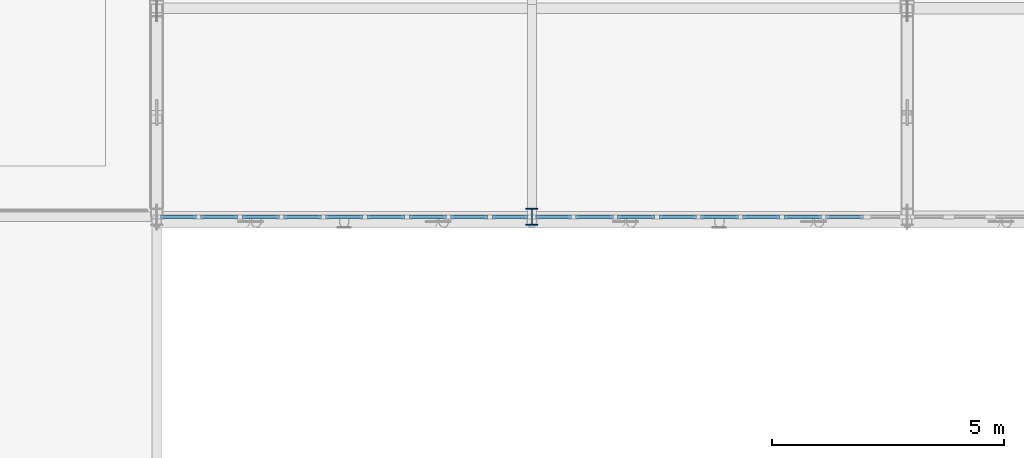
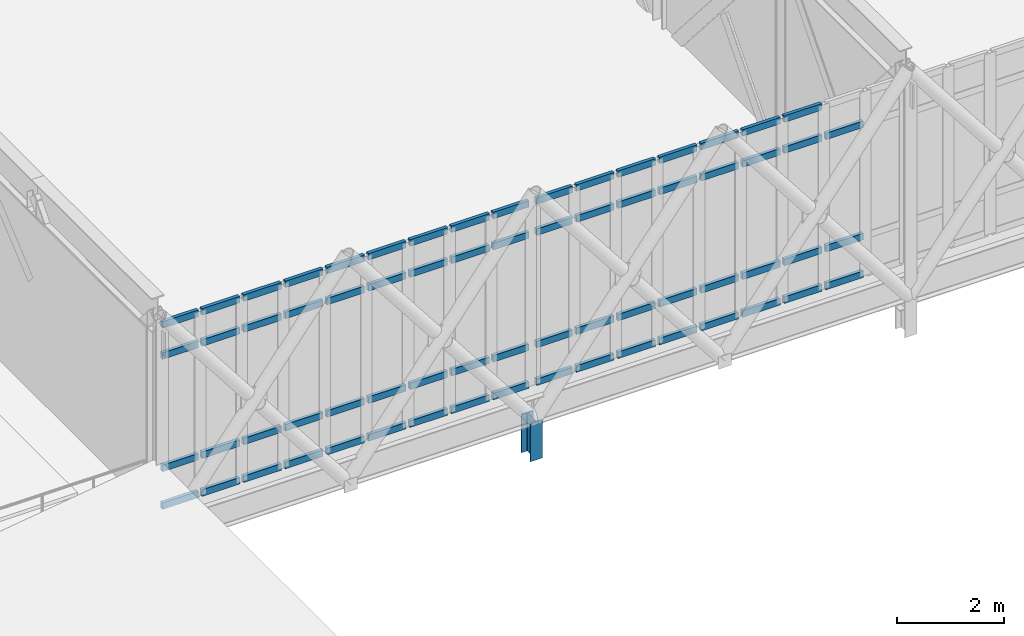
# One storey, part 43 of 107: 68 members, 2 elements without a shape of their own.
"""IFC4 building model written with IfcOpenShell, lengths in metres."""

from ifc_helpers import new_model, si_unit, direction, frame, origin, origin_2d, place, context, subcontext, project, spatial, rectangle, i_section, extrude, material, material_profile, profile_set, type_object, element, aggregate, save


model = new_model("IFC4")

# Units and contexts
model_context = context("Model", 3, precision=1e-05, world=origin(), true_north=direction((0.0, 1.0)))
body_context = subcontext(model_context, "Body", "Model", "MODEL_VIEW")
ifc_project = project(units=[si_unit("LENGTHUNIT", "METRE"), si_unit("AREAUNIT", "SQUARE_METRE"), si_unit("VOLUMEUNIT", "CUBIC_METRE"), si_unit("PLANEANGLEUNIT", "RADIAN"), si_unit("MASSUNIT", "GRAM", prefix="KILO")], contexts=[model_context])

# Site, building, storey
site_placement = place(None, origin())
site = spatial("IfcSite", under=ifc_project, at=site_placement, CompositionType="ELEMENT")
building_placement = place(site_placement, origin())
building = spatial("IfcBuilding", under=site, at=building_placement, Name="Tarnveldt Square Police Headquarters", CompositionType="ELEMENT")
storey_placement = place(building_placement, frame((0.0, 0.0, 14.699951171875)))
storey = spatial("IfcBuildingStorey", under=building, at=storey_placement, Name="L03", CompositionType="ELEMENT", Elevation=14.699951171875)

# Curtain wall, members
ifc_material_1 = material(Name="UL 752 Level III laminated ballistic vision glass", Category="glass")
curtain_wall_type = type_object("IfcCurtainWallType", Name="CW-BL-810x422", PredefinedType="USERDEFINED", material=ifc_material_1)
curtain_wall_1_placement = place(storey_placement, origin())
curtain_wall_1 = element("IfcCurtainWall", 1, at=curtain_wall_1_placement, inside=storey, type_object=curtain_wall_type, Name="L03 Curtain Wall CW-L03-023", ObjectType="BALLISTIC CURTAIN WALL", PredefinedType="USERDEFINED")
ifc_material_2 = material(Name="Thermally broken anodised aluminium 6063-T6", Category="aluminium")
ifc_material_profile_1 = material_profile(ifc_material_2, rectangle(XDim=0.074951171875, YDim=0.14990234375, at=origin_2d()), Name="CW-T75x150")
ifc_profile_set_1 = profile_set([ifc_material_profile_1], Name="Thermally broken anodised aluminium 6063-T6")
member_type_1 = type_object("IfcMemberType", Name="CWT-75x150", PredefinedType="USERDEFINED", material=ifc_profile_set_1)
member_1_placement = place(storey_placement, frame((8.18505859375, 7.0, 0.03759765625), z_axis=(1.0, 0.0, 0.0), x_axis=(0.0, 1.0, 0.0)))
member_1 = element("IfcMember", 2, at=member_1_placement, type_object=member_type_1, Name="CW-BL12 transom 1.1", ObjectType="TRANSOM", PredefinedType="USERDEFINED", context=body_context, shape_type="SweptSolid", body=[
    extrude(rectangle(XDim=0.074951171875, YDim=0.14990234375, at=origin_2d()), origin(), (0.0, 0.0, 1.0), 0.7724609375),
])
member_2_placement = place(storey_placement, frame((8.18505859375, 7.0, 0.900146484375), z_axis=(1.0, 0.0, 0.0), x_axis=(0.0, 1.0, 0.0)))
member_2 = element("IfcMember", 3, at=member_2_placement, type_object=member_type_1, Name="CW-BL12 transom 1.2", ObjectType="TRANSOM", PredefinedType="USERDEFINED", context=body_context, shape_type="SweptSolid", body=[
    extrude(rectangle(XDim=0.074951171875, YDim=0.14990234375, at=origin_2d()), origin(), (0.0, 0.0, 1.0), 0.7724609375),
])
member_3_placement = place(storey_placement, frame((8.18505859375, 7.0, 3.469970703125), z_axis=(1.0, 0.0, 0.0), x_axis=(0.0, 1.0, 0.0)))
member_3 = element("IfcMember", 4, at=member_3_placement, type_object=member_type_1, Name="CW-BL12 transom 1.3", ObjectType="TRANSOM", PredefinedType="USERDEFINED", context=body_context, shape_type="SweptSolid", body=[
    extrude(rectangle(XDim=0.074951171875, YDim=0.14990234375, at=origin_2d()), origin(), (0.0, 0.0, 1.0), 0.7724609375),
])
member_4_placement = place(storey_placement, frame((8.18505859375, 7.0, 4.1826171875), z_axis=(1.0, 0.0, 0.0), x_axis=(0.0, 1.0, 0.0)))
member_4 = element("IfcMember", 5, at=member_4_placement, type_object=member_type_1, Name="CW-BL12 transom 1.4", ObjectType="TRANSOM", PredefinedType="USERDEFINED", context=body_context, shape_type="SweptSolid", body=[
    extrude(rectangle(XDim=0.074951171875, YDim=0.14990234375, at=origin_2d()), origin(), (0.0, 0.0, 1.0), 0.7724609375),
])
member_5_placement = place(storey_placement, frame((9.04248046875, 7.0, 0.03759765625), z_axis=(1.0, 0.0, 0.0), x_axis=(0.0, 1.0, 0.0)))
member_5 = element("IfcMember", 6, at=member_5_placement, type_object=member_type_1, Name="CW-BL12 transom 2.1", ObjectType="TRANSOM", PredefinedType="USERDEFINED", context=body_context, shape_type="SweptSolid", body=[
    extrude(rectangle(XDim=0.074951171875, YDim=0.14990234375, at=origin_2d()), origin(), (0.0, 0.0, 1.0), 0.81494140625),
])
member_6_placement = place(storey_placement, frame((9.04248046875, 7.0, 0.900146484375), z_axis=(1.0, 0.0, 0.0), x_axis=(0.0, 1.0, 0.0)))
member_6 = element("IfcMember", 7, at=member_6_placement, type_object=member_type_1, Name="CW-BL12 transom 2.2", ObjectType="TRANSOM", PredefinedType="USERDEFINED", context=body_context, shape_type="SweptSolid", body=[
    extrude(rectangle(XDim=0.074951171875, YDim=0.14990234375, at=origin_2d()), origin(), (0.0, 0.0, 1.0), 0.81494140625),
])
member_7_placement = place(storey_placement, frame((9.04248046875, 7.0, 3.469970703125), z_axis=(1.0, 0.0, 0.0), x_axis=(0.0, 1.0, 0.0)))
member_7 = element("IfcMember", 8, at=member_7_placement, type_object=member_type_1, Name="CW-BL12 transom 2.3", ObjectType="TRANSOM", PredefinedType="USERDEFINED", context=body_context, shape_type="SweptSolid", body=[
    extrude(rectangle(XDim=0.074951171875, YDim=0.14990234375, at=origin_2d()), origin(), (0.0, 0.0, 1.0), 0.81494140625),
])
member_8_placement = place(storey_placement, frame((9.04248046875, 7.0, 4.1826171875), z_axis=(1.0, 0.0, 0.0), x_axis=(0.0, 1.0, 0.0)))
member_8 = element("IfcMember", 9, at=member_8_placement, type_object=member_type_1, Name="CW-BL12 transom 2.4", ObjectType="TRANSOM", PredefinedType="USERDEFINED", context=body_context, shape_type="SweptSolid", body=[
    extrude(rectangle(XDim=0.074951171875, YDim=0.14990234375, at=origin_2d()), origin(), (0.0, 0.0, 1.0), 0.81494140625),
])
member_9_placement = place(storey_placement, frame((9.9423828125, 7.0, 0.03759765625), z_axis=(1.0, 0.0, 0.0), x_axis=(0.0, 1.0, 0.0)))
member_9 = element("IfcMember", 10, at=member_9_placement, type_object=member_type_1, Name="CW-BL12 transom 3.1", ObjectType="TRANSOM", PredefinedType="USERDEFINED", context=body_context, shape_type="SweptSolid", body=[
    extrude(rectangle(XDim=0.074951171875, YDim=0.14990234375, at=origin_2d()), origin(), (0.0, 0.0, 1.0), 0.815185546875),
])
member_10_placement = place(storey_placement, frame((9.9423828125, 7.0, 0.900146484375), z_axis=(1.0, 0.0, 0.0), x_axis=(0.0, 1.0, 0.0)))
member_10 = element("IfcMember", 11, at=member_10_placement, type_object=member_type_1, Name="CW-BL12 transom 3.2", ObjectType="TRANSOM", PredefinedType="USERDEFINED", context=body_context, shape_type="SweptSolid", body=[
    extrude(rectangle(XDim=0.074951171875, YDim=0.14990234375, at=origin_2d()), origin(), (0.0, 0.0, 1.0), 0.815185546875),
])
member_11_placement = place(storey_placement, frame((9.9423828125, 7.0, 3.469970703125), z_axis=(1.0, 0.0, 0.0), x_axis=(0.0, 1.0, 0.0)))
member_11 = element("IfcMember", 12, at=member_11_placement, type_object=member_type_1, Name="CW-BL12 transom 3.3", ObjectType="TRANSOM", PredefinedType="USERDEFINED", context=body_context, shape_type="SweptSolid", body=[
    extrude(rectangle(XDim=0.074951171875, YDim=0.14990234375, at=origin_2d()), origin(), (0.0, 0.0, 1.0), 0.815185546875),
])
member_12_placement = place(storey_placement, frame((9.9423828125, 7.0, 4.1826171875), z_axis=(1.0, 0.0, 0.0), x_axis=(0.0, 1.0, 0.0)))
member_12 = element("IfcMember", 13, at=member_12_placement, type_object=member_type_1, Name="CW-BL12 transom 3.4", ObjectType="TRANSOM", PredefinedType="USERDEFINED", context=body_context, shape_type="SweptSolid", body=[
    extrude(rectangle(XDim=0.074951171875, YDim=0.14990234375, at=origin_2d()), origin(), (0.0, 0.0, 1.0), 0.815185546875),
])
member_13_placement = place(storey_placement, frame((10.842529296875, 7.0, 0.03759765625), z_axis=(1.0, 0.0, 0.0), x_axis=(0.0, 1.0, 0.0)))
member_13 = element("IfcMember", 14, at=member_13_placement, type_object=member_type_1, Name="CW-BL12 transom 4.1", ObjectType="TRANSOM", PredefinedType="USERDEFINED", context=body_context, shape_type="SweptSolid", body=[
    extrude(rectangle(XDim=0.074951171875, YDim=0.14990234375, at=origin_2d()), origin(), (0.0, 0.0, 1.0), 0.81494140625),
])
member_14_placement = place(storey_placement, frame((10.842529296875, 7.0, 0.900146484375), z_axis=(1.0, 0.0, 0.0), x_axis=(0.0, 1.0, 0.0)))
member_14 = element("IfcMember", 15, at=member_14_placement, type_object=member_type_1, Name="CW-BL12 transom 4.2", ObjectType="TRANSOM", PredefinedType="USERDEFINED", context=body_context, shape_type="SweptSolid", body=[
    extrude(rectangle(XDim=0.074951171875, YDim=0.14990234375, at=origin_2d()), origin(), (0.0, 0.0, 1.0), 0.81494140625),
])
member_15_placement = place(storey_placement, frame((10.842529296875, 7.0, 3.469970703125), z_axis=(1.0, 0.0, 0.0), x_axis=(0.0, 1.0, 0.0)))
member_15 = element("IfcMember", 16, at=member_15_placement, type_object=member_type_1, Name="CW-BL12 transom 4.3", ObjectType="TRANSOM", PredefinedType="USERDEFINED", context=body_context, shape_type="SweptSolid", body=[
    extrude(rectangle(XDim=0.074951171875, YDim=0.14990234375, at=origin_2d()), origin(), (0.0, 0.0, 1.0), 0.81494140625),
])
member_16_placement = place(storey_placement, frame((10.842529296875, 7.0, 4.1826171875), z_axis=(1.0, 0.0, 0.0), x_axis=(0.0, 1.0, 0.0)))
member_16 = element("IfcMember", 17, at=member_16_placement, type_object=member_type_1, Name="CW-BL12 transom 4.4", ObjectType="TRANSOM", PredefinedType="USERDEFINED", context=body_context, shape_type="SweptSolid", body=[
    extrude(rectangle(XDim=0.074951171875, YDim=0.14990234375, at=origin_2d()), origin(), (0.0, 0.0, 1.0), 0.81494140625),
])
member_17_placement = place(storey_placement, frame((11.742431640625, 7.0, 0.03759765625), z_axis=(1.0, 0.0, 0.0), x_axis=(0.0, 1.0, 0.0)))
member_17 = element("IfcMember", 18, at=member_17_placement, type_object=member_type_1, Name="CW-BL12 transom 5.1", ObjectType="TRANSOM", PredefinedType="USERDEFINED", context=body_context, shape_type="SweptSolid", body=[
    extrude(rectangle(XDim=0.074951171875, YDim=0.14990234375, at=origin_2d()), origin(), (0.0, 0.0, 1.0), 0.815185546875),
])
member_18_placement = place(storey_placement, frame((11.742431640625, 7.0, 0.900146484375), z_axis=(1.0, 0.0, 0.0), x_axis=(0.0, 1.0, 0.0)))
member_18 = element("IfcMember", 19, at=member_18_placement, type_object=member_type_1, Name="CW-BL12 transom 5.2", ObjectType="TRANSOM", PredefinedType="USERDEFINED", context=body_context, shape_type="SweptSolid", body=[
    extrude(rectangle(XDim=0.074951171875, YDim=0.14990234375, at=origin_2d()), origin(), (0.0, 0.0, 1.0), 0.815185546875),
])
member_19_placement = place(storey_placement, frame((11.742431640625, 7.0, 3.469970703125), z_axis=(1.0, 0.0, 0.0), x_axis=(0.0, 1.0, 0.0)))
member_19 = element("IfcMember", 20, at=member_19_placement, type_object=member_type_1, Name="CW-BL12 transom 5.3", ObjectType="TRANSOM", PredefinedType="USERDEFINED", context=body_context, shape_type="SweptSolid", body=[
    extrude(rectangle(XDim=0.074951171875, YDim=0.14990234375, at=origin_2d()), origin(), (0.0, 0.0, 1.0), 0.815185546875),
])
member_20_placement = place(storey_placement, frame((11.742431640625, 7.0, 4.1826171875), z_axis=(1.0, 0.0, 0.0), x_axis=(0.0, 1.0, 0.0)))
member_20 = element("IfcMember", 21, at=member_20_placement, type_object=member_type_1, Name="CW-BL12 transom 5.4", ObjectType="TRANSOM", PredefinedType="USERDEFINED", context=body_context, shape_type="SweptSolid", body=[
    extrude(rectangle(XDim=0.074951171875, YDim=0.14990234375, at=origin_2d()), origin(), (0.0, 0.0, 1.0), 0.815185546875),
])
member_21_placement = place(storey_placement, frame((12.642578125, 7.0, 0.03759765625), z_axis=(1.0, 0.0, 0.0), x_axis=(0.0, 1.0, 0.0)))
member_21 = element("IfcMember", 22, at=member_21_placement, type_object=member_type_1, Name="CW-BL12 transom 6.1", ObjectType="TRANSOM", PredefinedType="USERDEFINED", context=body_context, shape_type="SweptSolid", body=[
    extrude(rectangle(XDim=0.074951171875, YDim=0.14990234375, at=origin_2d()), origin(), (0.0, 0.0, 1.0), 0.81494140625),
])
member_22_placement = place(storey_placement, frame((12.642578125, 7.0, 0.900146484375), z_axis=(1.0, 0.0, 0.0), x_axis=(0.0, 1.0, 0.0)))
member_22 = element("IfcMember", 23, at=member_22_placement, type_object=member_type_1, Name="CW-BL12 transom 6.2", ObjectType="TRANSOM", PredefinedType="USERDEFINED", context=body_context, shape_type="SweptSolid", body=[
    extrude(rectangle(XDim=0.074951171875, YDim=0.14990234375, at=origin_2d()), origin(), (0.0, 0.0, 1.0), 0.81494140625),
])
member_23_placement = place(storey_placement, frame((12.642578125, 7.0, 3.469970703125), z_axis=(1.0, 0.0, 0.0), x_axis=(0.0, 1.0, 0.0)))
member_23 = element("IfcMember", 24, at=member_23_placement, type_object=member_type_1, Name="CW-BL12 transom 6.3", ObjectType="TRANSOM", PredefinedType="USERDEFINED", context=body_context, shape_type="SweptSolid", body=[
    extrude(rectangle(XDim=0.074951171875, YDim=0.14990234375, at=origin_2d()), origin(), (0.0, 0.0, 1.0), 0.81494140625),
])
member_24_placement = place(storey_placement, frame((12.642578125, 7.0, 4.1826171875), z_axis=(1.0, 0.0, 0.0), x_axis=(0.0, 1.0, 0.0)))
member_24 = element("IfcMember", 25, at=member_24_placement, type_object=member_type_1, Name="CW-BL12 transom 6.4", ObjectType="TRANSOM", PredefinedType="USERDEFINED", context=body_context, shape_type="SweptSolid", body=[
    extrude(rectangle(XDim=0.074951171875, YDim=0.14990234375, at=origin_2d()), origin(), (0.0, 0.0, 1.0), 0.81494140625),
])
member_25_placement = place(storey_placement, frame((13.54248046875, 7.0, 0.03759765625), z_axis=(1.0, 0.0, 0.0), x_axis=(0.0, 1.0, 0.0)))
member_25 = element("IfcMember", 26, at=member_25_placement, type_object=member_type_1, Name="CW-BL12 transom 7.1", ObjectType="TRANSOM", PredefinedType="USERDEFINED", context=body_context, shape_type="SweptSolid", body=[
    extrude(rectangle(XDim=0.074951171875, YDim=0.14990234375, at=origin_2d()), origin(), (0.0, 0.0, 1.0), 0.81494140625),
])
member_26_placement = place(storey_placement, frame((13.54248046875, 7.0, 0.900146484375), z_axis=(1.0, 0.0, 0.0), x_axis=(0.0, 1.0, 0.0)))
member_26 = element("IfcMember", 27, at=member_26_placement, type_object=member_type_1, Name="CW-BL12 transom 7.2", ObjectType="TRANSOM", PredefinedType="USERDEFINED", context=body_context, shape_type="SweptSolid", body=[
    extrude(rectangle(XDim=0.074951171875, YDim=0.14990234375, at=origin_2d()), origin(), (0.0, 0.0, 1.0), 0.81494140625),
])
member_27_placement = place(storey_placement, frame((13.54248046875, 7.0, 3.469970703125), z_axis=(1.0, 0.0, 0.0), x_axis=(0.0, 1.0, 0.0)))
member_27 = element("IfcMember", 28, at=member_27_placement, type_object=member_type_1, Name="CW-BL12 transom 7.3", ObjectType="TRANSOM", PredefinedType="USERDEFINED", context=body_context, shape_type="SweptSolid", body=[
    extrude(rectangle(XDim=0.074951171875, YDim=0.14990234375, at=origin_2d()), origin(), (0.0, 0.0, 1.0), 0.81494140625),
])
member_28_placement = place(storey_placement, frame((13.54248046875, 7.0, 4.1826171875), z_axis=(1.0, 0.0, 0.0), x_axis=(0.0, 1.0, 0.0)))
member_28 = element("IfcMember", 29, at=member_28_placement, type_object=member_type_1, Name="CW-BL12 transom 7.4", ObjectType="TRANSOM", PredefinedType="USERDEFINED", context=body_context, shape_type="SweptSolid", body=[
    extrude(rectangle(XDim=0.074951171875, YDim=0.14990234375, at=origin_2d()), origin(), (0.0, 0.0, 1.0), 0.81494140625),
])
member_29_placement = place(storey_placement, frame((14.4423828125, 7.0, 0.03759765625), z_axis=(1.0, 0.0, 0.0), x_axis=(0.0, 1.0, 0.0)))
member_29 = element("IfcMember", 30, at=member_29_placement, type_object=member_type_1, Name="CW-BL12 transom 8.1", ObjectType="TRANSOM", PredefinedType="USERDEFINED", context=body_context, shape_type="SweptSolid", body=[
    extrude(rectangle(XDim=0.074951171875, YDim=0.14990234375, at=origin_2d()), origin(), (0.0, 0.0, 1.0), 0.815185546875),
])
member_30_placement = place(storey_placement, frame((14.4423828125, 7.0, 0.900146484375), z_axis=(1.0, 0.0, 0.0), x_axis=(0.0, 1.0, 0.0)))
member_30 = element("IfcMember", 31, at=member_30_placement, type_object=member_type_1, Name="CW-BL12 transom 8.2", ObjectType="TRANSOM", PredefinedType="USERDEFINED", context=body_context, shape_type="SweptSolid", body=[
    extrude(rectangle(XDim=0.074951171875, YDim=0.14990234375, at=origin_2d()), origin(), (0.0, 0.0, 1.0), 0.815185546875),
])
member_31_placement = place(storey_placement, frame((14.4423828125, 7.0, 3.469970703125), z_axis=(1.0, 0.0, 0.0), x_axis=(0.0, 1.0, 0.0)))
member_31 = element("IfcMember", 32, at=member_31_placement, type_object=member_type_1, Name="CW-BL12 transom 8.3", ObjectType="TRANSOM", PredefinedType="USERDEFINED", context=body_context, shape_type="SweptSolid", body=[
    extrude(rectangle(XDim=0.074951171875, YDim=0.14990234375, at=origin_2d()), origin(), (0.0, 0.0, 1.0), 0.815185546875),
])
member_32_placement = place(storey_placement, frame((14.4423828125, 7.0, 4.1826171875), z_axis=(1.0, 0.0, 0.0), x_axis=(0.0, 1.0, 0.0)))
member_32 = element("IfcMember", 33, at=member_32_placement, type_object=member_type_1, Name="CW-BL12 transom 8.4", ObjectType="TRANSOM", PredefinedType="USERDEFINED", context=body_context, shape_type="SweptSolid", body=[
    extrude(rectangle(XDim=0.074951171875, YDim=0.14990234375, at=origin_2d()), origin(), (0.0, 0.0, 1.0), 0.815185546875),
])
member_33_placement = place(storey_placement, frame((15.342529296875, 7.0, 0.03759765625), z_axis=(1.0, 0.0, 0.0), x_axis=(0.0, 1.0, 0.0)))
member_33 = element("IfcMember", 34, at=member_33_placement, type_object=member_type_1, Name="CW-BL12 transom 9.1", ObjectType="TRANSOM", PredefinedType="USERDEFINED", context=body_context, shape_type="SweptSolid", body=[
    extrude(rectangle(XDim=0.074951171875, YDim=0.14990234375, at=origin_2d()), origin(), (0.0, 0.0, 1.0), 0.7724609375),
])
member_34_placement = place(storey_placement, frame((15.342529296875, 7.0, 0.900146484375), z_axis=(1.0, 0.0, 0.0), x_axis=(0.0, 1.0, 0.0)))
member_34 = element("IfcMember", 35, at=member_34_placement, type_object=member_type_1, Name="CW-BL12 transom 9.2", ObjectType="TRANSOM", PredefinedType="USERDEFINED", context=body_context, shape_type="SweptSolid", body=[
    extrude(rectangle(XDim=0.074951171875, YDim=0.14990234375, at=origin_2d()), origin(), (0.0, 0.0, 1.0), 0.7724609375),
])
member_35_placement = place(storey_placement, frame((15.342529296875, 7.0, 3.469970703125), z_axis=(1.0, 0.0, 0.0), x_axis=(0.0, 1.0, 0.0)))
member_35 = element("IfcMember", 36, at=member_35_placement, type_object=member_type_1, Name="CW-BL12 transom 9.3", ObjectType="TRANSOM", PredefinedType="USERDEFINED", context=body_context, shape_type="SweptSolid", body=[
    extrude(rectangle(XDim=0.074951171875, YDim=0.14990234375, at=origin_2d()), origin(), (0.0, 0.0, 1.0), 0.7724609375),
])
member_36_placement = place(storey_placement, frame((15.342529296875, 7.0, 4.1826171875), z_axis=(1.0, 0.0, 0.0), x_axis=(0.0, 1.0, 0.0)))
member_36 = element("IfcMember", 37, at=member_36_placement, type_object=member_type_1, Name="CW-BL12 transom 9.4", ObjectType="TRANSOM", PredefinedType="USERDEFINED", context=body_context, shape_type="SweptSolid", body=[
    extrude(rectangle(XDim=0.074951171875, YDim=0.14990234375, at=origin_2d()), origin(), (0.0, 0.0, 1.0), 0.7724609375),
])
aggregate(curtain_wall_1, [member_1, member_2, member_3, member_4, member_5, member_6, member_7, member_8, member_9, member_10, member_11, member_12, member_13, member_14, member_15, member_16, member_17, member_18, member_19, member_20, member_21, member_22, member_23, member_24, member_25, member_26, member_27, member_28, member_29, member_30, member_31, member_32, member_33, member_34, member_35, member_36])

curtain_wall_2_placement = place(storey_placement, origin())
curtain_wall_2 = element("IfcCurtainWall", 38, at=curtain_wall_2_placement, inside=storey, type_object=curtain_wall_type, Name="L03 Curtain Wall CW-L03-024", ObjectType="BALLISTIC CURTAIN WALL", PredefinedType="USERDEFINED")
member_37_placement = place(storey_placement, frame((16.284912109375, 7.0, 0.03759765625), z_axis=(1.0, 0.0, 0.0), x_axis=(0.0, 1.0, 0.0)))
member_37 = element("IfcMember", 39, at=member_37_placement, type_object=member_type_1, Name="CW-BL12 transom 1.1", ObjectType="TRANSOM", PredefinedType="USERDEFINED", context=body_context, shape_type="SweptSolid", body=[
    extrude(rectangle(XDim=0.074951171875, YDim=0.14990234375, at=origin_2d()), origin(), (0.0, 0.0, 1.0), 0.772705078125),
])
member_38_placement = place(storey_placement, frame((16.284912109375, 7.0, 0.900146484375), z_axis=(1.0, 0.0, 0.0), x_axis=(0.0, 1.0, 0.0)))
member_38 = element("IfcMember", 40, at=member_38_placement, type_object=member_type_1, Name="CW-BL12 transom 1.2", ObjectType="TRANSOM", PredefinedType="USERDEFINED", context=body_context, shape_type="SweptSolid", body=[
    extrude(rectangle(XDim=0.074951171875, YDim=0.14990234375, at=origin_2d()), origin(), (0.0, 0.0, 1.0), 0.772705078125),
])
member_39_placement = place(storey_placement, frame((16.284912109375, 7.0, 3.469970703125), z_axis=(1.0, 0.0, 0.0), x_axis=(0.0, 1.0, 0.0)))
member_39 = element("IfcMember", 41, at=member_39_placement, type_object=member_type_1, Name="CW-BL12 transom 1.3", ObjectType="TRANSOM", PredefinedType="USERDEFINED", context=body_context, shape_type="SweptSolid", body=[
    extrude(rectangle(XDim=0.074951171875, YDim=0.14990234375, at=origin_2d()), origin(), (0.0, 0.0, 1.0), 0.772705078125),
])
member_40_placement = place(storey_placement, frame((16.284912109375, 7.0, 4.1826171875), z_axis=(1.0, 0.0, 0.0), x_axis=(0.0, 1.0, 0.0)))
member_40 = element("IfcMember", 42, at=member_40_placement, type_object=member_type_1, Name="CW-BL12 transom 1.4", ObjectType="TRANSOM", PredefinedType="USERDEFINED", context=body_context, shape_type="SweptSolid", body=[
    extrude(rectangle(XDim=0.074951171875, YDim=0.14990234375, at=origin_2d()), origin(), (0.0, 0.0, 1.0), 0.772705078125),
])
member_41_placement = place(storey_placement, frame((17.142578125, 7.0, 0.03759765625), z_axis=(1.0, 0.0, 0.0), x_axis=(0.0, 1.0, 0.0)))
member_41 = element("IfcMember", 43, at=member_41_placement, type_object=member_type_1, Name="CW-BL12 transom 2.1", ObjectType="TRANSOM", PredefinedType="USERDEFINED", context=body_context, shape_type="SweptSolid", body=[
    extrude(rectangle(XDim=0.074951171875, YDim=0.14990234375, at=origin_2d()), origin(), (0.0, 0.0, 1.0), 0.81494140625),
])
member_42_placement = place(storey_placement, frame((17.142578125, 7.0, 0.900146484375), z_axis=(1.0, 0.0, 0.0), x_axis=(0.0, 1.0, 0.0)))
member_42 = element("IfcMember", 44, at=member_42_placement, type_object=member_type_1, Name="CW-BL12 transom 2.2", ObjectType="TRANSOM", PredefinedType="USERDEFINED", context=body_context, shape_type="SweptSolid", body=[
    extrude(rectangle(XDim=0.074951171875, YDim=0.14990234375, at=origin_2d()), origin(), (0.0, 0.0, 1.0), 0.81494140625),
])
member_43_placement = place(storey_placement, frame((17.142578125, 7.0, 3.469970703125), z_axis=(1.0, 0.0, 0.0), x_axis=(0.0, 1.0, 0.0)))
member_43 = element("IfcMember", 45, at=member_43_placement, type_object=member_type_1, Name="CW-BL12 transom 2.3", ObjectType="TRANSOM", PredefinedType="USERDEFINED", context=body_context, shape_type="SweptSolid", body=[
    extrude(rectangle(XDim=0.074951171875, YDim=0.14990234375, at=origin_2d()), origin(), (0.0, 0.0, 1.0), 0.81494140625),
])
member_44_placement = place(storey_placement, frame((17.142578125, 7.0, 4.1826171875), z_axis=(1.0, 0.0, 0.0), x_axis=(0.0, 1.0, 0.0)))
member_44 = element("IfcMember", 46, at=member_44_placement, type_object=member_type_1, Name="CW-BL12 transom 2.4", ObjectType="TRANSOM", PredefinedType="USERDEFINED", context=body_context, shape_type="SweptSolid", body=[
    extrude(rectangle(XDim=0.074951171875, YDim=0.14990234375, at=origin_2d()), origin(), (0.0, 0.0, 1.0), 0.81494140625),
])
member_45_placement = place(storey_placement, frame((18.04248046875, 7.0, 0.03759765625), z_axis=(1.0, 0.0, 0.0), x_axis=(0.0, 1.0, 0.0)))
member_45 = element("IfcMember", 47, at=member_45_placement, type_object=member_type_1, Name="CW-BL12 transom 3.1", ObjectType="TRANSOM", PredefinedType="USERDEFINED", context=body_context, shape_type="SweptSolid", body=[
    extrude(rectangle(XDim=0.074951171875, YDim=0.14990234375, at=origin_2d()), origin(), (0.0, 0.0, 1.0), 0.81494140625),
])
member_46_placement = place(storey_placement, frame((18.04248046875, 7.0, 0.900146484375), z_axis=(1.0, 0.0, 0.0), x_axis=(0.0, 1.0, 0.0)))
member_46 = element("IfcMember", 48, at=member_46_placement, type_object=member_type_1, Name="CW-BL12 transom 3.2", ObjectType="TRANSOM", PredefinedType="USERDEFINED", context=body_context, shape_type="SweptSolid", body=[
    extrude(rectangle(XDim=0.074951171875, YDim=0.14990234375, at=origin_2d()), origin(), (0.0, 0.0, 1.0), 0.81494140625),
])
member_47_placement = place(storey_placement, frame((18.04248046875, 7.0, 3.469970703125), z_axis=(1.0, 0.0, 0.0), x_axis=(0.0, 1.0, 0.0)))
member_47 = element("IfcMember", 49, at=member_47_placement, type_object=member_type_1, Name="CW-BL12 transom 3.3", ObjectType="TRANSOM", PredefinedType="USERDEFINED", context=body_context, shape_type="SweptSolid", body=[
    extrude(rectangle(XDim=0.074951171875, YDim=0.14990234375, at=origin_2d()), origin(), (0.0, 0.0, 1.0), 0.81494140625),
])
member_48_placement = place(storey_placement, frame((18.04248046875, 7.0, 4.1826171875), z_axis=(1.0, 0.0, 0.0), x_axis=(0.0, 1.0, 0.0)))
member_48 = element("IfcMember", 50, at=member_48_placement, type_object=member_type_1, Name="CW-BL12 transom 3.4", ObjectType="TRANSOM", PredefinedType="USERDEFINED", context=body_context, shape_type="SweptSolid", body=[
    extrude(rectangle(XDim=0.074951171875, YDim=0.14990234375, at=origin_2d()), origin(), (0.0, 0.0, 1.0), 0.81494140625),
])
member_49_placement = place(storey_placement, frame((18.9423828125, 7.0, 0.03759765625), z_axis=(1.0, 0.0, 0.0), x_axis=(0.0, 1.0, 0.0)))
member_49 = element("IfcMember", 51, at=member_49_placement, type_object=member_type_1, Name="CW-BL12 transom 4.1", ObjectType="TRANSOM", PredefinedType="USERDEFINED", context=body_context, shape_type="SweptSolid", body=[
    extrude(rectangle(XDim=0.074951171875, YDim=0.14990234375, at=origin_2d()), origin(), (0.0, 0.0, 1.0), 0.815185546875),
])
member_50_placement = place(storey_placement, frame((18.9423828125, 7.0, 0.900146484375), z_axis=(1.0, 0.0, 0.0), x_axis=(0.0, 1.0, 0.0)))
member_50 = element("IfcMember", 52, at=member_50_placement, type_object=member_type_1, Name="CW-BL12 transom 4.2", ObjectType="TRANSOM", PredefinedType="USERDEFINED", context=body_context, shape_type="SweptSolid", body=[
    extrude(rectangle(XDim=0.074951171875, YDim=0.14990234375, at=origin_2d()), origin(), (0.0, 0.0, 1.0), 0.815185546875),
])
member_51_placement = place(storey_placement, frame((18.9423828125, 7.0, 3.469970703125), z_axis=(1.0, 0.0, 0.0), x_axis=(0.0, 1.0, 0.0)))
member_51 = element("IfcMember", 53, at=member_51_placement, type_object=member_type_1, Name="CW-BL12 transom 4.3", ObjectType="TRANSOM", PredefinedType="USERDEFINED", context=body_context, shape_type="SweptSolid", body=[
    extrude(rectangle(XDim=0.074951171875, YDim=0.14990234375, at=origin_2d()), origin(), (0.0, 0.0, 1.0), 0.815185546875),
])
member_52_placement = place(storey_placement, frame((18.9423828125, 7.0, 4.1826171875), z_axis=(1.0, 0.0, 0.0), x_axis=(0.0, 1.0, 0.0)))
member_52 = element("IfcMember", 54, at=member_52_placement, type_object=member_type_1, Name="CW-BL12 transom 4.4", ObjectType="TRANSOM", PredefinedType="USERDEFINED", context=body_context, shape_type="SweptSolid", body=[
    extrude(rectangle(XDim=0.074951171875, YDim=0.14990234375, at=origin_2d()), origin(), (0.0, 0.0, 1.0), 0.815185546875),
])
member_53_placement = place(storey_placement, frame((19.842529296875, 7.0, 0.03759765625), z_axis=(1.0, 0.0, 0.0), x_axis=(0.0, 1.0, 0.0)))
member_53 = element("IfcMember", 55, at=member_53_placement, type_object=member_type_1, Name="CW-BL12 transom 5.1", ObjectType="TRANSOM", PredefinedType="USERDEFINED", context=body_context, shape_type="SweptSolid", body=[
    extrude(rectangle(XDim=0.074951171875, YDim=0.14990234375, at=origin_2d()), origin(), (0.0, 0.0, 1.0), 0.81494140625),
])
member_54_placement = place(storey_placement, frame((19.842529296875, 7.0, 0.900146484375), z_axis=(1.0, 0.0, 0.0), x_axis=(0.0, 1.0, 0.0)))
member_54 = element("IfcMember", 56, at=member_54_placement, type_object=member_type_1, Name="CW-BL12 transom 5.2", ObjectType="TRANSOM", PredefinedType="USERDEFINED", context=body_context, shape_type="SweptSolid", body=[
    extrude(rectangle(XDim=0.074951171875, YDim=0.14990234375, at=origin_2d()), origin(), (0.0, 0.0, 1.0), 0.81494140625),
])
member_55_placement = place(storey_placement, frame((19.842529296875, 7.0, 3.469970703125), z_axis=(1.0, 0.0, 0.0), x_axis=(0.0, 1.0, 0.0)))
member_55 = element("IfcMember", 57, at=member_55_placement, type_object=member_type_1, Name="CW-BL12 transom 5.3", ObjectType="TRANSOM", PredefinedType="USERDEFINED", context=body_context, shape_type="SweptSolid", body=[
    extrude(rectangle(XDim=0.074951171875, YDim=0.14990234375, at=origin_2d()), origin(), (0.0, 0.0, 1.0), 0.81494140625),
])
member_56_placement = place(storey_placement, frame((19.842529296875, 7.0, 4.1826171875), z_axis=(1.0, 0.0, 0.0), x_axis=(0.0, 1.0, 0.0)))
member_56 = element("IfcMember", 58, at=member_56_placement, type_object=member_type_1, Name="CW-BL12 transom 5.4", ObjectType="TRANSOM", PredefinedType="USERDEFINED", context=body_context, shape_type="SweptSolid", body=[
    extrude(rectangle(XDim=0.074951171875, YDim=0.14990234375, at=origin_2d()), origin(), (0.0, 0.0, 1.0), 0.81494140625),
])
member_57_placement = place(storey_placement, frame((20.742431640625, 7.0, 0.03759765625), z_axis=(1.0, 0.0, 0.0), x_axis=(0.0, 1.0, 0.0)))
member_57 = element("IfcMember", 59, at=member_57_placement, type_object=member_type_1, Name="CW-BL12 transom 6.1", ObjectType="TRANSOM", PredefinedType="USERDEFINED", context=body_context, shape_type="SweptSolid", body=[
    extrude(rectangle(XDim=0.074951171875, YDim=0.14990234375, at=origin_2d()), origin(), (0.0, 0.0, 1.0), 0.815185546875),
])
member_58_placement = place(storey_placement, frame((20.742431640625, 7.0, 0.900146484375), z_axis=(1.0, 0.0, 0.0), x_axis=(0.0, 1.0, 0.0)))
member_58 = element("IfcMember", 60, at=member_58_placement, type_object=member_type_1, Name="CW-BL12 transom 6.2", ObjectType="TRANSOM", PredefinedType="USERDEFINED", context=body_context, shape_type="SweptSolid", body=[
    extrude(rectangle(XDim=0.074951171875, YDim=0.14990234375, at=origin_2d()), origin(), (0.0, 0.0, 1.0), 0.815185546875),
])
member_59_placement = place(storey_placement, frame((20.742431640625, 7.0, 3.469970703125), z_axis=(1.0, 0.0, 0.0), x_axis=(0.0, 1.0, 0.0)))
member_59 = element("IfcMember", 61, at=member_59_placement, type_object=member_type_1, Name="CW-BL12 transom 6.3", ObjectType="TRANSOM", PredefinedType="USERDEFINED", context=body_context, shape_type="SweptSolid", body=[
    extrude(rectangle(XDim=0.074951171875, YDim=0.14990234375, at=origin_2d()), origin(), (0.0, 0.0, 1.0), 0.815185546875),
])
member_60_placement = place(storey_placement, frame((20.742431640625, 7.0, 4.1826171875), z_axis=(1.0, 0.0, 0.0), x_axis=(0.0, 1.0, 0.0)))
member_60 = element("IfcMember", 62, at=member_60_placement, type_object=member_type_1, Name="CW-BL12 transom 6.4", ObjectType="TRANSOM", PredefinedType="USERDEFINED", context=body_context, shape_type="SweptSolid", body=[
    extrude(rectangle(XDim=0.074951171875, YDim=0.14990234375, at=origin_2d()), origin(), (0.0, 0.0, 1.0), 0.815185546875),
])
member_61_placement = place(storey_placement, frame((21.642578125, 7.0, 0.03759765625), z_axis=(1.0, 0.0, 0.0), x_axis=(0.0, 1.0, 0.0)))
member_61 = element("IfcMember", 63, at=member_61_placement, type_object=member_type_1, Name="CW-BL12 transom 7.1", ObjectType="TRANSOM", PredefinedType="USERDEFINED", context=body_context, shape_type="SweptSolid", body=[
    extrude(rectangle(XDim=0.074951171875, YDim=0.14990234375, at=origin_2d()), origin(), (0.0, 0.0, 1.0), 0.81494140625),
])
member_62_placement = place(storey_placement, frame((21.642578125, 7.0, 0.900146484375), z_axis=(1.0, 0.0, 0.0), x_axis=(0.0, 1.0, 0.0)))
member_62 = element("IfcMember", 64, at=member_62_placement, type_object=member_type_1, Name="CW-BL12 transom 7.2", ObjectType="TRANSOM", PredefinedType="USERDEFINED", context=body_context, shape_type="SweptSolid", body=[
    extrude(rectangle(XDim=0.074951171875, YDim=0.14990234375, at=origin_2d()), origin(), (0.0, 0.0, 1.0), 0.81494140625),
])
member_63_placement = place(storey_placement, frame((21.642578125, 7.0, 3.469970703125), z_axis=(1.0, 0.0, 0.0), x_axis=(0.0, 1.0, 0.0)))
member_63 = element("IfcMember", 65, at=member_63_placement, type_object=member_type_1, Name="CW-BL12 transom 7.3", ObjectType="TRANSOM", PredefinedType="USERDEFINED", context=body_context, shape_type="SweptSolid", body=[
    extrude(rectangle(XDim=0.074951171875, YDim=0.14990234375, at=origin_2d()), origin(), (0.0, 0.0, 1.0), 0.81494140625),
])
member_64_placement = place(storey_placement, frame((21.642578125, 7.0, 4.1826171875), z_axis=(1.0, 0.0, 0.0), x_axis=(0.0, 1.0, 0.0)))
member_64 = element("IfcMember", 66, at=member_64_placement, type_object=member_type_1, Name="CW-BL12 transom 7.4", ObjectType="TRANSOM", PredefinedType="USERDEFINED", context=body_context, shape_type="SweptSolid", body=[
    extrude(rectangle(XDim=0.074951171875, YDim=0.14990234375, at=origin_2d()), origin(), (0.0, 0.0, 1.0), 0.81494140625),
])
member_65_placement = place(storey_placement, frame((22.54248046875, 7.0, 0.03759765625), z_axis=(1.0, 0.0, 0.0), x_axis=(0.0, 1.0, 0.0)))
member_65 = element("IfcMember", 67, at=member_65_placement, type_object=member_type_1, Name="CW-BL12 transom 8.1", ObjectType="TRANSOM", PredefinedType="USERDEFINED", context=body_context, shape_type="SweptSolid", body=[
    extrude(rectangle(XDim=0.074951171875, YDim=0.14990234375, at=origin_2d()), origin(), (0.0, 0.0, 1.0), 0.81494140625),
])
member_66_placement = place(storey_placement, frame((22.54248046875, 7.0, 0.900146484375), z_axis=(1.0, 0.0, 0.0), x_axis=(0.0, 1.0, 0.0)))
member_66 = element("IfcMember", 68, at=member_66_placement, type_object=member_type_1, Name="CW-BL12 transom 8.2", ObjectType="TRANSOM", PredefinedType="USERDEFINED", context=body_context, shape_type="SweptSolid", body=[
    extrude(rectangle(XDim=0.074951171875, YDim=0.14990234375, at=origin_2d()), origin(), (0.0, 0.0, 1.0), 0.81494140625),
])
member_67_placement = place(storey_placement, frame((22.54248046875, 7.0, 3.469970703125), z_axis=(1.0, 0.0, 0.0), x_axis=(0.0, 1.0, 0.0)))
member_67 = element("IfcMember", 69, at=member_67_placement, type_object=member_type_1, Name="CW-BL12 transom 8.3", ObjectType="TRANSOM", PredefinedType="USERDEFINED", context=body_context, shape_type="SweptSolid", body=[
    extrude(rectangle(XDim=0.074951171875, YDim=0.14990234375, at=origin_2d()), origin(), (0.0, 0.0, 1.0), 0.81494140625),
])
aggregate(curtain_wall_2, [member_37, member_38, member_39, member_40, member_41, member_42, member_43, member_44, member_45, member_46, member_47, member_48, member_49, member_50, member_51, member_52, member_53, member_54, member_55, member_56, member_57, member_58, member_59, member_60, member_61, member_62, member_63, member_64, member_65, member_66, member_67])

# Member
ifc_material_3 = material(Name="Steel 350W", Category="steel")
ifc_material_profile_2 = material_profile(ifc_material_3, i_section(OverallWidth=0.257080078125, OverallDepth=0.363037109375, WebThickness=0.012939453125, FlangeThickness=0.021728515625, FilletRadius=0.01611328125, at=origin_2d()), Name="W360x122")
ifc_profile_set_2 = profile_set([ifc_material_profile_2], Name="Steel 350W")
member_type_2 = type_object("IfcMemberType", Name="MEM-CT-POST", PredefinedType="STRUT", material=ifc_profile_set_2)
member_68_placement = place(storey_placement, frame((16.199951171875, 7.0, -1.619873046875), z_axis=(0.0, 0.0, 1.0), x_axis=(1.0, 0.0, 0.0)))
element("IfcMember", 70, at=member_68_placement, inside=storey, type_object=member_type_2, Name="Lantern Soffit Tip Hanger 2", PredefinedType="STRUT", context=body_context, shape_type="SweptSolid", body=[
    extrude(i_section(OverallWidth=0.257080078125, OverallDepth=0.363037109375, WebThickness=0.012939453125, FlangeThickness=0.021728515625, FilletRadius=0.01611328125, at=origin_2d()), origin(), (0.0, 0.0, 1.0), 0.876953125),
])

save(model, "model.ifc")
